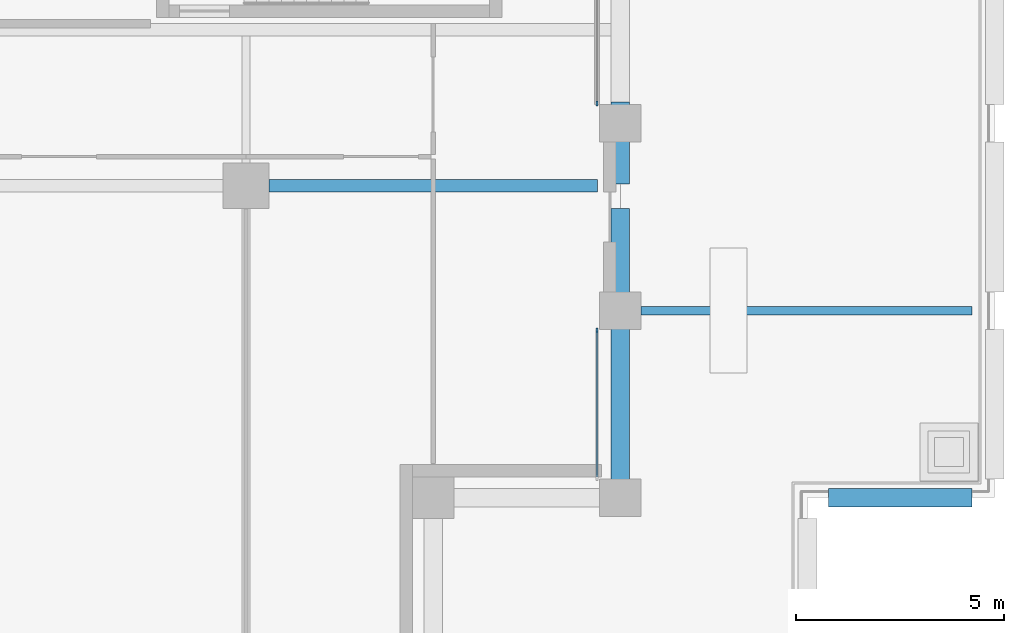
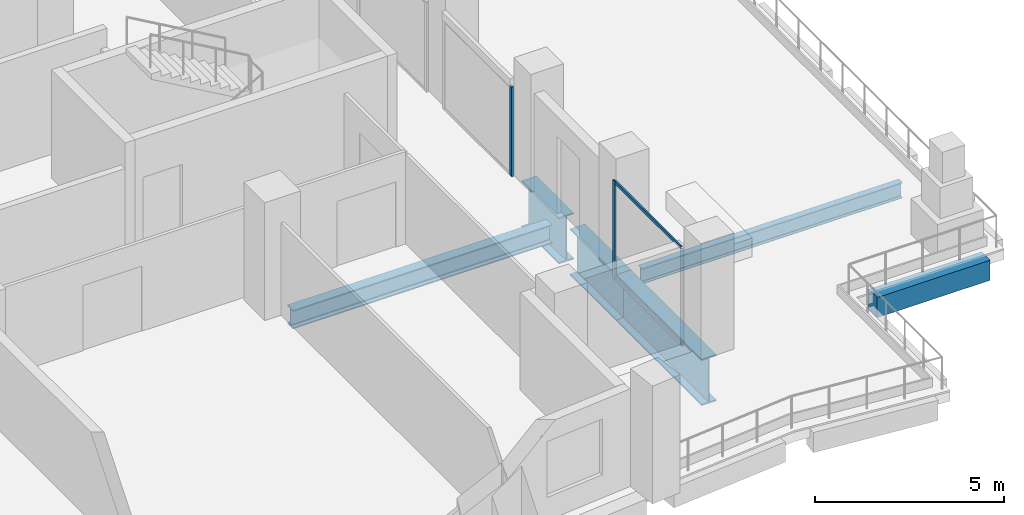
# One storey, part 6 of 19: 6 beams, 4 members, 2 elements without a shape of their own.
"""IFC4 building model written with IfcOpenShell, lengths in metres."""

from ifc_helpers import new_model, si_unit, direction, frame, origin, origin_2d, place, context, subcontext, project, spatial, rectangle, i_section, extrude, material, material_profile, profile_set, type_object, element, aggregate, save


model = new_model("IFC4")

# Units and contexts
model_context = context("Model", 3, precision=1e-05, world=origin(), true_north=direction((0.0, 1.0)))
body_context = subcontext(model_context, "Body", "Model", "MODEL_VIEW")
ifc_project = project(units=[si_unit("LENGTHUNIT", "METRE"), si_unit("AREAUNIT", "SQUARE_METRE"), si_unit("VOLUMEUNIT", "CUBIC_METRE"), si_unit("PLANEANGLEUNIT", "RADIAN"), si_unit("MASSUNIT", "GRAM", prefix="KILO")], contexts=[model_context])

# Site, building, storey
site_placement = place(None, origin())
site = spatial("IfcSite", under=ifc_project, at=site_placement, CompositionType="ELEMENT")
building_placement = place(site_placement, origin())
building = spatial("IfcBuilding", under=site, at=building_placement, Name="Brondeck Convention Tower", CompositionType="ELEMENT")
storey_placement = place(building_placement, frame((0.0, 0.0, 198.800048828125)))
storey = spatial("IfcBuildingStorey", under=building, at=storey_placement, Name="L48", CompositionType="ELEMENT", Elevation=198.800048828125)

# Curtain wall, member
ifc_material_1 = material(Name="Aluminium, bronze anodised", Category="aluminium")
curtain_wall_type = type_object("IfcCurtainWallType", Name="Terrace door screen curtain wall", PredefinedType="NOTDEFINED", material=ifc_material_1)
curtain_wall_1_placement = place(storey_placement, origin())
curtain_wall_1 = element("IfcCurtainWall", 1, at=curtain_wall_1_placement, inside=storey, type_object=curtain_wall_type, Name="ENV-CW6-L48-A-E54-01", PredefinedType="NOTDEFINED")
ifc_material_profile_1 = material_profile(ifc_material_1, rectangle(XDim=0.050048828125, YDim=0.1201171875, at=origin_2d()), Name="CW6 mullion")
ifc_profile_set_1 = profile_set([ifc_material_profile_1], Name="Aluminium, bronze anodised")
member_type_1 = type_object("IfcMemberType", Name="CW6 mullion", PredefinedType="MULLION", material=ifc_profile_set_1)
member_1_placement = place(storey_placement, frame((53.43994140625, 35.52490234375, 0.0), z_axis=(0.0, 0.0, 1.0), x_axis=(1.0, 0.0, 0.0)))
member_1 = element("IfcMember", 2, at=member_1_placement, type_object=member_type_1, Name="CW6 mullion 1", PredefinedType="MULLION", context=body_context, shape_type="SweptSolid", body=[
    extrude(rectangle(XDim=0.050048828125, YDim=0.1201171875, at=origin_2d()), origin(), (0.0, 0.0, 1.0), 3.14990234375),
])

curtain_wall_2_placement = place(storey_placement, origin())
curtain_wall_2 = element("IfcCurtainWall", 3, at=curtain_wall_2_placement, inside=storey, type_object=curtain_wall_type, Name="ENV-CW6-L48-A-E54-03", PredefinedType="NOTDEFINED")
member_2_placement = place(storey_placement, frame((53.43994140625, 40.97509765625, 0.0), z_axis=(0.0, 0.0, 1.0), x_axis=(1.0, 0.0, 0.0)))
member_2 = element("IfcMember", 4, at=member_2_placement, type_object=member_type_1, Name="CW6 mullion 2", PredefinedType="MULLION", context=body_context, shape_type="SweptSolid", body=[
    extrude(rectangle(XDim=0.050048828125, YDim=0.1201171875, at=origin_2d()), origin(), (0.0, 0.0, 1.0), 2.89990234375),
])
aggregate(curtain_wall_2, [member_2])

# Member
ifc_material_profile_2 = material_profile(ifc_material_1, rectangle(XDim=0.050048828125, YDim=0.10009765625, at=origin_2d()), Name="CW6 transom")
ifc_profile_set_2 = profile_set([ifc_material_profile_2], Name="Aluminium, bronze anodised")
member_type_2 = type_object("IfcMemberType", Name="CW6 transom", PredefinedType="USERDEFINED", material=ifc_profile_set_2)
member_3_placement = place(storey_placement, frame((53.43994140625, 35.5, 0.02490234375), z_axis=(0.0, -1.0, 0.0), x_axis=(1.0, 0.0, 0.0)))
member_3 = element("IfcMember", 5, at=member_3_placement, type_object=member_type_2, Name="CW6 transom 1.1", ObjectType="TRANSOM", PredefinedType="USERDEFINED", context=body_context, shape_type="SweptSolid", body=[
    extrude(rectangle(XDim=0.050048828125, YDim=0.10009765625, at=origin_2d()), origin(), (0.0, 0.0, 1.0), 3.5),
])

member_4_placement = place(storey_placement, frame((53.43994140625, 35.5, 3.125), z_axis=(0.0, -1.0, 0.0), x_axis=(1.0, 0.0, 0.0)))
member_4 = element("IfcMember", 6, at=member_4_placement, type_object=member_type_2, Name="CW6 transom 1.2", ObjectType="TRANSOM", PredefinedType="USERDEFINED", context=body_context, shape_type="SweptSolid", body=[
    extrude(rectangle(XDim=0.050048828125, YDim=0.10009765625, at=origin_2d()), origin(), (0.0, 0.0, 1.0), 3.5),
])

aggregate(curtain_wall_1, [member_1, member_3, member_4])

# Beams
ifc_material_2 = material(Name="Steel S355", Category="steel")
ifc_material_profile_3 = material_profile(ifc_material_2, i_section(OverallWidth=0.199951171875, OverallDepth=0.5, WebThickness=0.01025390625, FlangeThickness=0.01611328125, FilletRadius=0.02099609375, at=origin_2d()), Name="IPE 500")
ifc_profile_set_3 = profile_set([ifc_material_profile_3], Name="Steel S355")
beam_type_1 = type_object("IfcBeamType", Name="Floor beam IPE 500", PredefinedType="BEAM", material=ifc_profile_set_3)
beam_1_placement = place(storey_placement, frame((54.5, 36.0, -0.550048828125), z_axis=(1.0, 0.0, 0.0), x_axis=(0.0, 1.0, 0.0)))
element("IfcBeam", 7, at=beam_1_placement, inside=storey, type_object=beam_type_1, Name="STR-FB-L48T2-001", PredefinedType="BEAM", context=body_context, shape_type="SweptSolid", body=[
    extrude(i_section(OverallWidth=0.199951171875, OverallDepth=0.5, WebThickness=0.01025390625, FlangeThickness=0.01611328125, FilletRadius=0.02099609375, at=origin_2d()), origin(), (0.0, 0.0, 1.0), 7.949951171875),
])
ifc_material_profile_4 = material_profile(ifc_material_2, i_section(OverallWidth=0.300048828125, OverallDepth=0.60009765625, WebThickness=0.015380859375, FlangeThickness=0.030029296875, FilletRadius=0.027099609375, at=origin_2d()), Name="HEB 600")
ifc_profile_set_4 = profile_set([ifc_material_profile_4], Name="Steel S355")
beam_type_2 = type_object("IfcBeamType", Name="Girder HEB 600", PredefinedType="BEAM", material=ifc_profile_set_4)
beam_2_placement = place(storey_placement, frame((45.550048828125, 39.0, -0.60009765625), z_axis=(1.0, 0.0, 0.0), x_axis=(0.0, 1.0, 0.0)))
element("IfcBeam", 8, at=beam_2_placement, inside=storey, type_object=beam_type_2, Name="STR-GR-L48-002", PredefinedType="BEAM", context=body_context, shape_type="SweptSolid", body=[
    extrude(i_section(OverallWidth=0.300048828125, OverallDepth=0.60009765625, WebThickness=0.015380859375, FlangeThickness=0.030029296875, FilletRadius=0.027099609375, at=origin_2d()), origin(), (0.0, 0.0, 1.0), 7.89990234375),
])
ifc_material_3 = material(Name="Concrete C50/60", Category="concrete")
ifc_material_profile_5 = material_profile(ifc_material_3, rectangle(XDim=0.449951171875, YDim=0.64990234375, at=origin_2d()), Name="Precast spandrel 450x650 Concrete C50/60")
ifc_profile_set_5 = profile_set([ifc_material_profile_5], Name="Concrete C50/60")
beam_type_3 = type_object("IfcBeamType", Name="Precast spandrel 450x650 Concrete C50/60", PredefinedType="SPANDREL", material=ifc_profile_set_5)
beam_3_placement = place(storey_placement, frame((62.449951171875, 31.5, -0.324951171875), z_axis=(-1.0, 0.0, 0.0), x_axis=(0.0, -1.0, 0.0)))
element("IfcBeam", 9, at=beam_3_placement, inside=storey, type_object=beam_type_3, Name="STR-SP-L48T2-010", PredefinedType="SPANDREL", context=body_context, shape_type="SweptSolid", body=[
    extrude(rectangle(XDim=0.449951171875, YDim=0.64990234375, at=origin_2d()), origin(), (0.0, 0.0, 1.0), 3.449951171875),
])
ifc_material_4 = material(Name="Steel S460", Category="steel")
ifc_material_profile_6 = material_profile(ifc_material_4, i_section(OverallWidth=0.449951171875, OverallDepth=1.5, WebThickness=0.02490234375, FlangeThickness=0.044921875, at=origin_2d()), Name="PG 1500x450")
ifc_profile_set_6 = profile_set([ifc_material_profile_6], Name="Steel S460")
beam_type_4 = type_object("IfcBeamType", Name="Transfer girder PG 1500x450", PredefinedType="BEAM", material=ifc_profile_set_6)
beam_4_placement = place(storey_placement, frame((54.0, 31.5, -1.050048828125), z_axis=(0.0, 1.0, 0.0), x_axis=(-1.0, 0.0, 0.0)))
element("IfcBeam", 10, at=beam_4_placement, inside=storey, type_object=beam_type_4, Name="Setback transfer girder PG-L48-14", PredefinedType="BEAM", context=body_context, shape_type="SweptSolid", body=[
    extrude(i_section(OverallWidth=0.449951171875, OverallDepth=1.5, WebThickness=0.02490234375, FlangeThickness=0.044921875, at=origin_2d()), origin(), (0.0, 0.0, 1.0), 4.5),
])
beam_5_placement = place(storey_placement, frame((54.0, 36.0, -1.050048828125), z_axis=(0.0, 1.0, 0.0), x_axis=(-1.0, 0.0, 0.0)))
element("IfcBeam", 11, at=beam_5_placement, inside=storey, type_object=beam_type_4, Name="Setback transfer girder PG-L48-15", PredefinedType="BEAM", context=body_context, shape_type="SweptSolid", body=[
    extrude(i_section(OverallWidth=0.449951171875, OverallDepth=1.5, WebThickness=0.02490234375, FlangeThickness=0.044921875, at=origin_2d()), origin(), (0.0, 0.0, 1.0), 2.449951171875),
])
beam_6_placement = place(storey_placement, frame((54.0, 39.0400390625, -1.050048828125), z_axis=(0.0, 1.0, 0.0), x_axis=(-1.0, 0.0, 0.0)))
element("IfcBeam", 12, at=beam_6_placement, inside=storey, type_object=beam_type_4, Name="Setback transfer girder PG-L48-16", PredefinedType="BEAM", context=body_context, shape_type="SweptSolid", body=[
    extrude(i_section(OverallWidth=0.449951171875, OverallDepth=1.5, WebThickness=0.02490234375, FlangeThickness=0.044921875, at=origin_2d()), origin(), (0.0, 0.0, 1.0), 1.969970703125),
])

save(model, "model.ifc")
